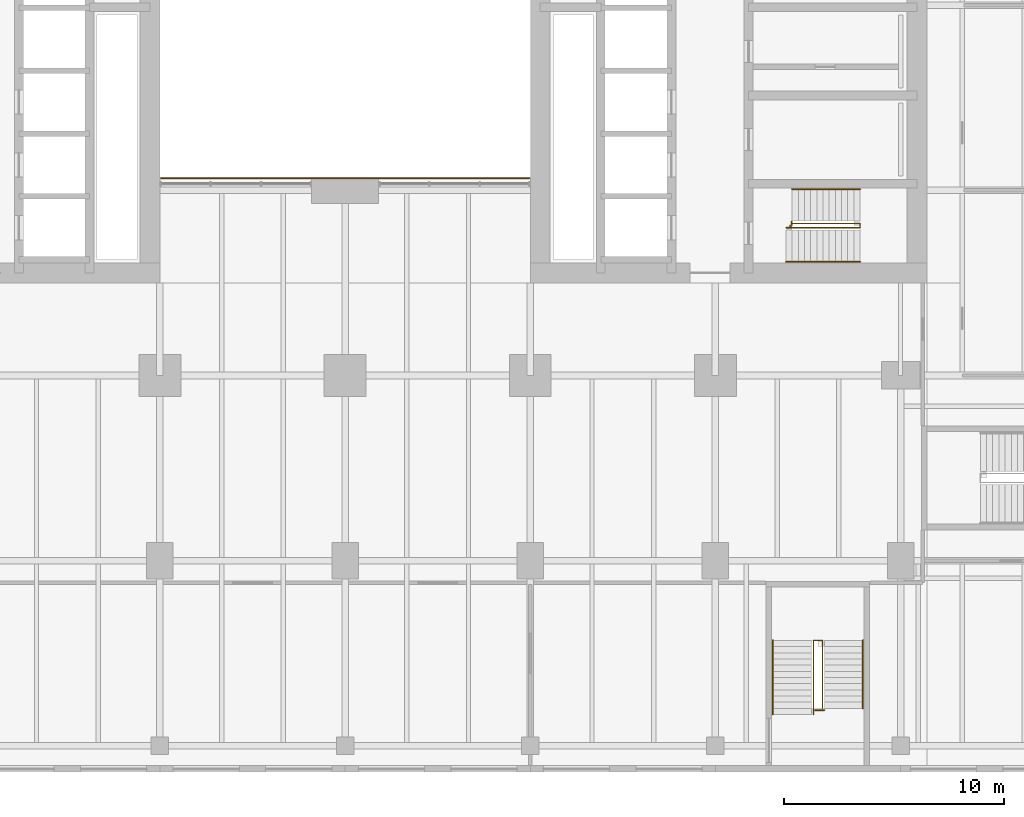
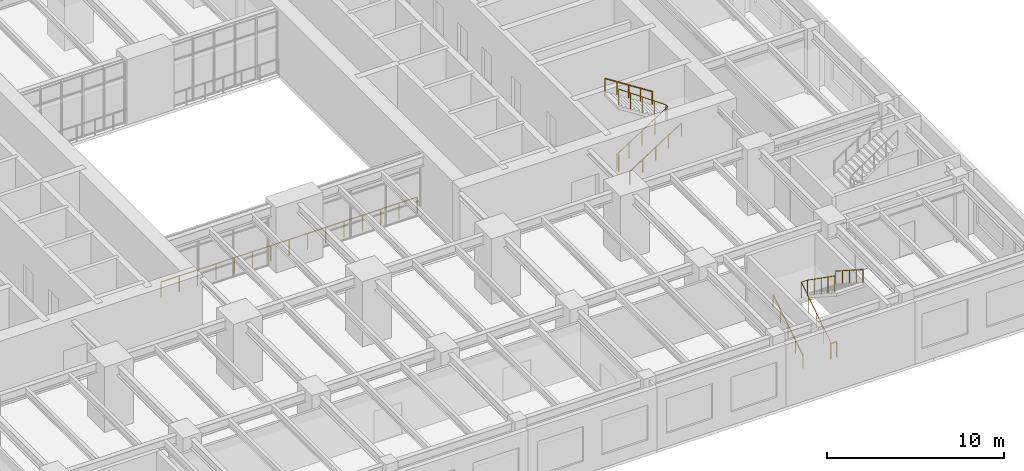
# One storey, part 19 of 26: 9 railings.
"""IFC4 building model written with IfcOpenShell, lengths in metres."""

from ifc_helpers import new_model, si_unit, direction, frame, origin, origin_2d, place, context, subcontext, project, spatial, circle, extrude, material, type_object, element, save


model = new_model("IFC4")

# Units and contexts
model_context = context("Model", 3, precision=1e-05, world=origin(), true_north=direction((0.0, 1.0)))
body_context = subcontext(model_context, "Body", "Model", "MODEL_VIEW")
ifc_project = project(units=[si_unit("LENGTHUNIT", "METRE"), si_unit("AREAUNIT", "SQUARE_METRE"), si_unit("VOLUMEUNIT", "CUBIC_METRE"), si_unit("PLANEANGLEUNIT", "RADIAN"), si_unit("MASSUNIT", "GRAM", prefix="KILO")], contexts=[model_context])

# Site, building, storey
site_placement = place(None, origin())
site = spatial("IfcSite", under=ifc_project, at=site_placement, CompositionType="ELEMENT")
building_placement = place(site_placement, origin())
building = spatial("IfcBuilding", under=site, at=building_placement, Name="Claustro Exchange Tower", CompositionType="ELEMENT")
storey_placement = place(building_placement, frame((0.0, 0.0, 9.89990234375)))
storey = spatial("IfcBuildingStorey", under=building, at=storey_placement, Name="L02", CompositionType="ELEMENT", Elevation=9.89990234375)

# Railings
ifc_material_1 = material(Name="Laminated glass, stainless steel rail", Category="steel")
railing_type_1 = type_object("IfcRailingType", Name="GR1 1100 glass balustrade guard", PredefinedType="BALUSTRADE", material=ifc_material_1)
railing_1_placement = place(storey_placement, frame((16.85009765625, 17.35009765625, 0.0)))
element("IfcRailing", 1, at=railing_1_placement, inside=storey, type_object=railing_type_1, Name="Atrium guard GR1 L02", PredefinedType="BALUSTRADE", context=body_context, shape_type="SweptSolid", body=[
    extrude(circle(Radius=0.02392578125, at=origin_2d()), frame((0.0, 0.0, 1.076171875), z_axis=(1.0, 0.0, 0.0), x_axis=(0.0, 1.0, 0.0)), (0.0, 0.0, 1.0), 16.699951171875),
    extrude(circle(Radius=0.02099609375, at=origin_2d()), origin(), (0.0, 0.0, 1.0), 1.052001953125),
    extrude(circle(Radius=0.02099609375, at=origin_2d()), frame((1.19287109375, 0.0, 0.0)), (0.0, 0.0, 1.0), 1.052001953125),
    extrude(circle(Radius=0.02099609375, at=origin_2d()), frame((2.3857421875, 0.0, 0.0)), (0.0, 0.0, 1.0), 1.052001953125),
    extrude(circle(Radius=0.02099609375, at=origin_2d()), frame((3.57861328125, 0.0, 0.0)), (0.0, 0.0, 1.0), 1.052001953125),
    extrude(circle(Radius=0.02099609375, at=origin_2d()), frame((4.771484375, 0.0, 0.0)), (0.0, 0.0, 1.0), 1.052001953125),
    extrude(circle(Radius=0.02099609375, at=origin_2d()), frame((5.96435546875, 0.0, 0.0)), (0.0, 0.0, 1.0), 1.052001953125),
    extrude(circle(Radius=0.02099609375, at=origin_2d()), frame((7.1572265625, 0.0, 0.0)), (0.0, 0.0, 1.0), 1.052001953125),
    extrude(circle(Radius=0.02099609375, at=origin_2d()), frame((8.35009765625, 0.0, 0.0)), (0.0, 0.0, 1.0), 1.052001953125),
    extrude(circle(Radius=0.02099609375, at=origin_2d()), frame((9.542724609375, 0.0, 0.0)), (0.0, 0.0, 1.0), 1.052001953125),
    extrude(circle(Radius=0.02099609375, at=origin_2d()), frame((10.735595703125, 0.0, 0.0)), (0.0, 0.0, 1.0), 1.052001953125),
    extrude(circle(Radius=0.02099609375, at=origin_2d()), frame((11.928466796875, 0.0, 0.0)), (0.0, 0.0, 1.0), 1.052001953125),
    extrude(circle(Radius=0.02099609375, at=origin_2d()), frame((13.121337890625, 0.0, 0.0)), (0.0, 0.0, 1.0), 1.052001953125),
    extrude(circle(Radius=0.02099609375, at=origin_2d()), frame((14.314208984375, 0.0, 0.0)), (0.0, 0.0, 1.0), 1.052001953125),
    extrude(circle(Radius=0.02099609375, at=origin_2d()), frame((15.507080078125, 0.0, 0.0)), (0.0, 0.0, 1.0), 1.052001953125),
    extrude(circle(Radius=0.02099609375, at=origin_2d()), frame((16.699951171875, 0.0, 0.0)), (0.0, 0.0, 1.0), 1.052001953125),
])
ifc_material_2 = material(Name="Steel balustrade, painted", Category="steel")
railing_type_2 = type_object("IfcRailingType", Name="GR2 1100 steel stair guard", PredefinedType="GUARDRAIL", material=ifc_material_2)
railing_2_placement = place(storey_placement, frame((45.199951171875, 15.10009765625, 0.18017578125)))
element("IfcRailing", 2, at=railing_2_placement, inside=storey, type_object=railing_type_2, Name="Stair well guard GR2 stair STEA L02", PredefinedType="GUARDRAIL", context=body_context, shape_type="SweptSolid", body=[
    extrude(circle(Radius=0.02392578125, at=origin_2d()), frame((0.0, 0.0, 1.076171875), z_axis=(0.84119634759, 0.0, 0.540729789082), x_axis=(0.0, 1.0, 0.0)), (0.0, 0.0, 1.0), 3.994384765625),
    extrude(circle(Radius=0.02392578125, at=origin_2d()), frame((3.360107421875, 0.0, 3.23583984375), z_axis=(0.0, 1.0, 0.0), x_axis=(-1.0, 0.0, 0.0)), (0.0, 0.0, 1.0), 0.199951171875),
    extrude(circle(Radius=0.02392578125, at=origin_2d()), frame((3.360107421875, 0.199951171875, 3.23583984375), z_axis=(-0.8187499073, 0.0, 0.574150319426), x_axis=(0.0, -1.0, 0.0)), (0.0, 0.0, 1.0), 3.761962890625),
    extrude(circle(Radius=0.02099609375, at=origin_2d()), origin(), (0.0, 0.0, 1.0), 1.052001953125),
    extrude(circle(Radius=0.02099609375, at=origin_2d()), frame((0.840087890625, 0.0, 0.5400390625)), (0.0, 0.0, 1.0), 1.052001953125),
    extrude(circle(Radius=0.02099609375, at=origin_2d()), frame((1.68017578125, 0.0, 1.080078125)), (0.0, 0.0, 1.0), 1.052001953125),
    extrude(circle(Radius=0.02099609375, at=origin_2d()), frame((2.52001953125, 0.0, 1.619873046875)), (0.0, 0.0, 1.0), 1.052001953125),
    extrude(circle(Radius=0.02099609375, at=origin_2d()), frame((3.360107421875, 0.0, 2.159912109375)), (0.0, 0.0, 1.0), 1.052001953125),
    extrude(circle(Radius=0.02099609375, at=origin_2d()), frame((3.360107421875, 0.199951171875, 2.159912109375)), (0.0, 0.0, 1.0), 1.052001953125),
    extrude(circle(Radius=0.02099609375, at=origin_2d()), frame((2.590087890625, 0.199951171875, 2.699951171875)), (0.0, 0.0, 1.0), 1.052001953125),
    extrude(circle(Radius=0.02099609375, at=origin_2d()), frame((1.820068359375, 0.199951171875, 3.23974609375)), (0.0, 0.0, 1.0), 1.052001953125),
    extrude(circle(Radius=0.02099609375, at=origin_2d()), frame((1.050048828125, 0.199951171875, 3.77978515625)), (0.0, 0.0, 1.0), 1.052001953125),
    extrude(circle(Radius=0.02099609375, at=origin_2d()), frame((0.280029296875, 0.199951171875, 4.31982421875)), (0.0, 0.0, 1.0), 1.052001953125),
])
railing_3_placement = place(storey_placement, frame((45.39990234375, 15.169921875, 0.0)))
element("IfcRailing", 3, at=railing_3_placement, inside=storey, type_object=railing_type_2, Name="Stair guard GR2 STEA L02", PredefinedType="GUARDRAIL", context=body_context, shape_type="SweptSolid", body=[
    extrude(circle(Radius=0.02392578125, at=origin_2d()), frame((0.0, 0.0, 1.076171875), z_axis=(0.0, 1.0, 0.0), x_axis=(-1.0, 0.0, 0.0)), (0.0, 0.0, 1.0), 0.030029296875),
    extrude(circle(Radius=0.02392578125, at=origin_2d()), frame((0.0, 0.030029296875, 1.076171875), z_axis=(1.0, 0.0, 0.0), x_axis=(0.0, 1.0, 0.0)), (0.0, 0.0, 1.0), 0.05517578125),
    extrude(circle(Radius=0.02392578125, at=origin_2d()), frame((0.05517578125, 0.030029296875, 1.076171875), z_axis=(0.0, 1.0, 0.0), x_axis=(-1.0, 0.0, 0.0)), (0.0, 0.0, 1.0), 0.179931640625),
    extrude(circle(Radius=0.02099609375, at=origin_2d()), origin(), (0.0, 0.0, 1.0), 1.052001953125),
    extrude(circle(Radius=0.02099609375, at=origin_2d()), frame((0.0, 0.030029296875, 0.0)), (0.0, 0.0, 1.0), 1.052001953125),
    extrude(circle(Radius=0.02099609375, at=origin_2d()), frame((0.05517578125, 0.030029296875, 0.0)), (0.0, 0.0, 1.0), 1.052001953125),
    extrude(circle(Radius=0.02099609375, at=origin_2d()), frame((0.05517578125, 0.2099609375, 0.0)), (0.0, 0.0, 1.0), 1.052001953125),
])
railing_4_placement = place(storey_placement, frame((46.449951171875, -6.97998046875, 0.18017578125)))
element("IfcRailing", 4, at=railing_4_placement, inside=storey, type_object=railing_type_2, Name="Stair well guard GR2 stair STP2 L02", PredefinedType="GUARDRAIL", context=body_context, shape_type="SweptSolid", body=[
    extrude(circle(Radius=0.02392578125, at=origin_2d()), frame((0.0, 0.0, 1.076171875), z_axis=(0.0, 0.841178475377, 0.540757591313), x_axis=(-1.0, 0.0, 0.0)), (0.0, 0.0, 1.0), 3.994140625),
    extrude(circle(Radius=0.02392578125, at=origin_2d()), frame((0.0, 3.35986328125, 3.23583984375), z_axis=(1.0, 0.0, 0.0), x_axis=(0.0, 1.0, 0.0)), (0.0, 0.0, 1.0), 0.400146484375),
    extrude(circle(Radius=0.02392578125, at=origin_2d()), frame((0.400146484375, 3.35986328125, 3.23583984375), z_axis=(0.0, -0.818728512145, 0.574180828137), x_axis=(1.0, 0.0, 0.0)), (0.0, 0.0, 1.0), 3.76171875),
    extrude(circle(Radius=0.02099609375, at=origin_2d()), origin(), (0.0, 0.0, 1.0), 1.052001953125),
    extrude(circle(Radius=0.02099609375, at=origin_2d()), frame((0.0, 0.83984375, 0.5400390625)), (0.0, 0.0, 1.0), 1.052001953125),
    extrude(circle(Radius=0.02099609375, at=origin_2d()), frame((0.0, 1.679931640625, 1.080078125)), (0.0, 0.0, 1.0), 1.052001953125),
    extrude(circle(Radius=0.02099609375, at=origin_2d()), frame((0.0, 2.52001953125, 1.619873046875)), (0.0, 0.0, 1.0), 1.052001953125),
    extrude(circle(Radius=0.02099609375, at=origin_2d()), frame((0.0, 3.35986328125, 2.159912109375)), (0.0, 0.0, 1.0), 1.052001953125),
    extrude(circle(Radius=0.02099609375, at=origin_2d()), frame((0.400146484375, 3.35986328125, 2.159912109375)), (0.0, 0.0, 1.0), 1.052001953125),
    extrude(circle(Radius=0.02099609375, at=origin_2d()), frame((0.400146484375, 2.58984375, 2.699951171875)), (0.0, 0.0, 1.0), 1.052001953125),
    extrude(circle(Radius=0.02099609375, at=origin_2d()), frame((0.400146484375, 1.81982421875, 3.23974609375)), (0.0, 0.0, 1.0), 1.052001953125),
    extrude(circle(Radius=0.02099609375, at=origin_2d()), frame((0.400146484375, 1.050048828125, 3.77978515625)), (0.0, 0.0, 1.0), 1.052001953125),
    extrude(circle(Radius=0.02099609375, at=origin_2d()), frame((0.400146484375, 0.280029296875, 4.31982421875)), (0.0, 0.0, 1.0), 1.052001953125),
])
railing_5_placement = place(storey_placement, frame((46.52001953125, -6.780029296875, 0.0)))
element("IfcRailing", 5, at=railing_5_placement, inside=storey, type_object=railing_type_2, Name="Stair guard GR2 STP2 L02", PredefinedType="GUARDRAIL", context=body_context, shape_type="SweptSolid", body=[
    extrude(circle(Radius=0.02392578125, at=origin_2d()), frame((0.0, 0.0, 1.076171875), z_axis=(1.0, 0.0, 0.0), x_axis=(0.0, 1.0, 0.0)), (0.0, 0.0, 1.0), 0.409912109375),
    extrude(circle(Radius=0.02099609375, at=origin_2d()), origin(), (0.0, 0.0, 1.0), 1.052001953125),
    extrude(circle(Radius=0.02099609375, at=origin_2d()), frame((0.409912109375, 0.0, 0.0)), (0.0, 0.0, 1.0), 1.052001953125),
])
ifc_material_3 = material(Name="Stainless steel tube", Category="steel")
railing_type_3 = type_object("IfcRailingType", Name="HR1 900 stair handrail", PredefinedType="HANDRAIL", material=ifc_material_3)
railing_6_placement = place(storey_placement, frame((45.199951171875, 13.56005859375, 0.18017578125)))
element("IfcRailing", 6, at=railing_6_placement, inside=storey, type_object=railing_type_3, Name="Handrail HR1 stair STEA L02", PredefinedType="HANDRAIL", context=body_context, shape_type="SweptSolid", body=[
    extrude(circle(Radius=0.02392578125, at=origin_2d()), frame((0.0, 0.0, 0.8759765625), z_axis=(0.84119634759, 0.0, 0.540729789082), x_axis=(0.0, 1.0, 0.0)), (0.0, 0.0, 1.0), 3.994384765625),
    extrude(circle(Radius=0.02099609375, at=origin_2d()), origin(), (0.0, 0.0, 1.0), 0.851806640625),
    extrude(circle(Radius=0.02099609375, at=origin_2d()), frame((0.840087890625, 0.0, 0.5400390625)), (0.0, 0.0, 1.0), 0.851806640625),
    extrude(circle(Radius=0.02099609375, at=origin_2d()), frame((1.68017578125, 0.0, 1.080078125)), (0.0, 0.0, 1.0), 0.851806640625),
    extrude(circle(Radius=0.02099609375, at=origin_2d()), frame((2.52001953125, 0.0, 1.619873046875)), (0.0, 0.0, 1.0), 0.851806640625),
    extrude(circle(Radius=0.02099609375, at=origin_2d()), frame((3.360107421875, 0.0, 2.159912109375)), (0.0, 0.0, 1.0), 0.851806640625),
])
railing_7_placement = place(storey_placement, frame((48.56005859375, 16.840087890625, 2.52001953125)))
element("IfcRailing", 7, at=railing_7_placement, inside=storey, type_object=railing_type_3, Name="Handrail HR1 stair STEA L02", PredefinedType="HANDRAIL", context=body_context, shape_type="SweptSolid", body=[
    extrude(circle(Radius=0.02392578125, at=origin_2d()), frame((0.0, 0.0, 0.8759765625), z_axis=(-0.84118714077, 0.0, 0.540744111576), x_axis=(0.0, -1.0, 0.0)), (0.0, 0.0, 1.0), 3.66162109375),
    extrude(circle(Radius=0.02099609375, at=origin_2d()), origin(), (0.0, 0.0, 1.0), 0.851806640625),
    extrude(circle(Radius=0.02099609375, at=origin_2d()), frame((-0.77001953125, 0.0, 0.4951171875)), (0.0, 0.0, 1.0), 0.851806640625),
    extrude(circle(Radius=0.02099609375, at=origin_2d()), frame((-1.5400390625, 0.0, 0.989990234375)), (0.0, 0.0, 1.0), 0.851806640625),
    extrude(circle(Radius=0.02099609375, at=origin_2d()), frame((-2.31005859375, 0.0, 1.48486328125)), (0.0, 0.0, 1.0), 0.851806640625),
    extrude(circle(Radius=0.02099609375, at=origin_2d()), frame((-3.080078125, 0.0, 1.97998046875)), (0.0, 0.0, 1.0), 0.851806640625),
])
railing_8_placement = place(storey_placement, frame((44.610107421875, -6.97998046875, 0.18017578125)))
element("IfcRailing", 8, at=railing_8_placement, inside=storey, type_object=railing_type_3, Name="Handrail HR1 stair STP2 L02", PredefinedType="HANDRAIL", context=body_context, shape_type="SweptSolid", body=[
    extrude(circle(Radius=0.02392578125, at=origin_2d()), frame((0.0, 0.0, 0.8759765625), z_axis=(0.0, 0.841178475377, 0.540757591313), x_axis=(-1.0, 0.0, 0.0)), (0.0, 0.0, 1.0), 3.994140625),
    extrude(circle(Radius=0.02099609375, at=origin_2d()), origin(), (0.0, 0.0, 1.0), 0.851806640625),
    extrude(circle(Radius=0.02099609375, at=origin_2d()), frame((0.0, 0.83984375, 0.5400390625)), (0.0, 0.0, 1.0), 0.851806640625),
    extrude(circle(Radius=0.02099609375, at=origin_2d()), frame((0.0, 1.679931640625, 1.080078125)), (0.0, 0.0, 1.0), 0.851806640625),
    extrude(circle(Radius=0.02099609375, at=origin_2d()), frame((0.0, 2.52001953125, 1.619873046875)), (0.0, 0.0, 1.0), 0.851806640625),
    extrude(circle(Radius=0.02099609375, at=origin_2d()), frame((0.0, 3.35986328125, 2.159912109375)), (0.0, 0.0, 1.0), 0.851806640625),
])
railing_9_placement = place(storey_placement, frame((48.68994140625, -3.6201171875, 2.52001953125)))
element("IfcRailing", 9, at=railing_9_placement, inside=storey, type_object=railing_type_3, Name="Handrail HR1 stair STP2 L02", PredefinedType="HANDRAIL", context=body_context, shape_type="SweptSolid", body=[
    extrude(circle(Radius=0.02392578125, at=origin_2d()), frame((0.0, 0.0, 0.8759765625), z_axis=(0.0, -0.841167642724, 0.540774441735), x_axis=(1.0, 0.0, 0.0)), (0.0, 0.0, 1.0), 3.661376953125),
    extrude(circle(Radius=0.02099609375, at=origin_2d()), origin(), (0.0, 0.0, 1.0), 0.851806640625),
    extrude(circle(Radius=0.02099609375, at=origin_2d()), frame((0.0, -0.77001953125, 0.4951171875)), (0.0, 0.0, 1.0), 0.851806640625),
    extrude(circle(Radius=0.02099609375, at=origin_2d()), frame((0.0, -1.5400390625, 0.989990234375)), (0.0, 0.0, 1.0), 0.851806640625),
    extrude(circle(Radius=0.02099609375, at=origin_2d()), frame((0.0, -2.309814453125, 1.48486328125)), (0.0, 0.0, 1.0), 0.851806640625),
    extrude(circle(Radius=0.02099609375, at=origin_2d()), frame((0.0, -3.079833984375, 1.97998046875)), (0.0, 0.0, 1.0), 0.851806640625),
])

save(model, "model.ifc")
